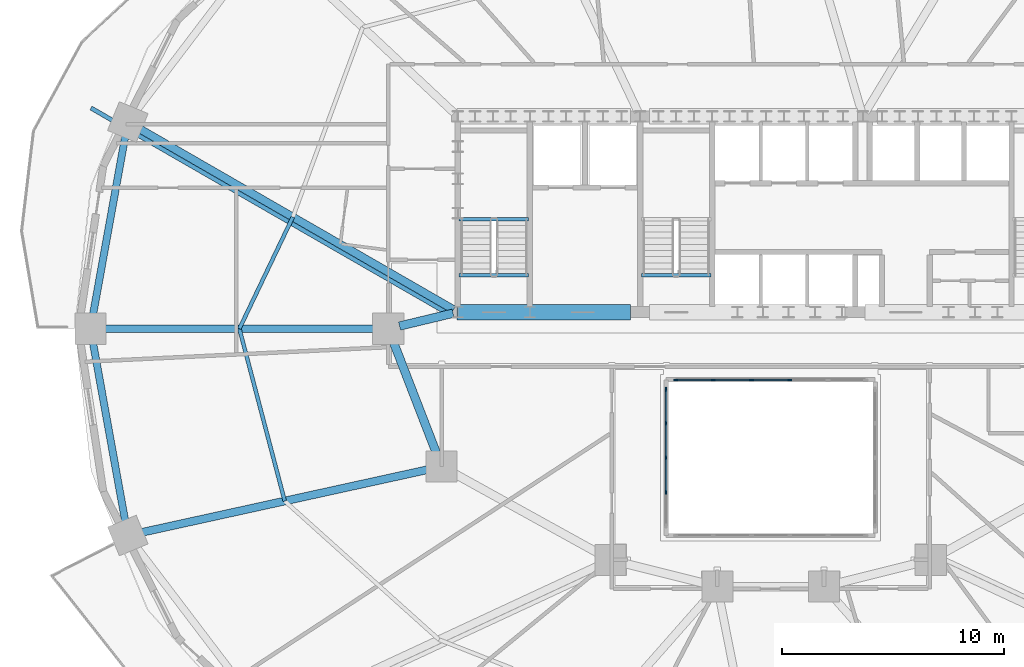
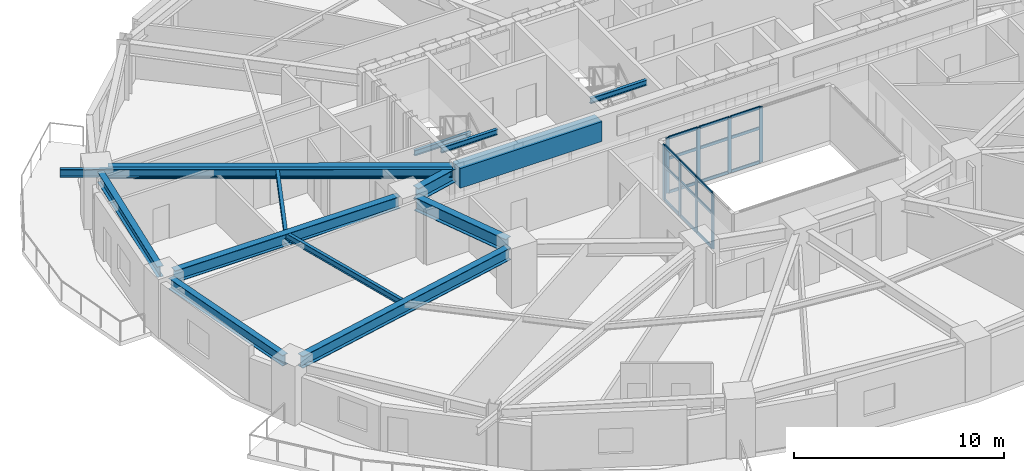
# One storey, part 4 of 17: 26 members, 14 beams, 2 elements without a shape of their own.
"""IFC4 building model written with IfcOpenShell, lengths in metres."""

from ifc_helpers import new_model, si_unit, direction, frame, origin, origin_2d, place, context, subcontext, project, spatial, rectangle, i_section, extrude, material, material_profile, profile_set, type_object, element, aggregate, save


model = new_model("IFC4")

# Units and contexts
model_context = context("Model", 3, precision=1e-05, world=origin(), true_north=direction((0.0, 1.0)))
body_context = subcontext(model_context, "Body", "Model", "MODEL_VIEW")
ifc_project = project(units=[si_unit("LENGTHUNIT", "METRE"), si_unit("AREAUNIT", "SQUARE_METRE"), si_unit("VOLUMEUNIT", "CUBIC_METRE"), si_unit("PLANEANGLEUNIT", "RADIAN"), si_unit("MASSUNIT", "GRAM", prefix="KILO")], contexts=[model_context])

# Site, building, storey
site_placement = place(None, origin())
site = spatial("IfcSite", under=ifc_project, at=site_placement, CompositionType="ELEMENT")
building_placement = place(site_placement, origin())
building = spatial("IfcBuilding", under=site, at=building_placement, Name="Haldorwick Loom Tower", CompositionType="ELEMENT")
storey_placement = place(building_placement, frame((0.0, 0.0, 61.949951171875)))
storey = spatial("IfcBuildingStorey", under=building, at=storey_placement, Name="L16", CompositionType="ELEMENT", Elevation=61.949951171875)

# Curtain wall, members
ifc_material_1 = material(Name="Thermally Broken Anodized Aluminium Curtain Wall Framing", Category="aluminium")
curtain_wall_type = type_object("IfcCurtainWallType", Name="ARC-CW-03", PredefinedType="NOTDEFINED", material=ifc_material_1)
curtain_wall_1_placement = place(storey_placement, origin())
curtain_wall_1 = element("IfcCurtainWall", 1, at=curtain_wall_1_placement, inside=storey, type_object=curtain_wall_type, Name="L16 Atrium Glazed Screen N", PredefinedType="NOTDEFINED")
ifc_material_profile_1 = material_profile(ifc_material_1, rectangle(XDim=0.06591796875, YDim=0.18505859375, at=origin_2d()), Name="ALU_MUL_66X185", Category="aluminium")
ifc_profile_set_1 = profile_set([ifc_material_profile_1], Name="Thermally Broken Anodized Aluminium Curtain Wall Framing")
member_type_1 = type_object("IfcMemberType", Name="ARC-CWM-03", PredefinedType="MULLION", material=ifc_profile_set_1)
member_1_placement = place(storey_placement, frame((31.73291015625, 23.699951171875, 0.0), z_axis=(0.0, 0.0, 1.0), x_axis=(0.0, 1.0, 0.0)))
member_1 = element("IfcMember", 2, at=member_1_placement, type_object=member_type_1, Name="CW-03 mullion 1", PredefinedType="MULLION", context=body_context, shape_type="SweptSolid", body=[
    extrude(rectangle(XDim=0.06591796875, YDim=0.18505859375, at=origin_2d()), origin(), (0.0, 0.0, 1.0), 3.2099609375),
])
member_2_placement = place(storey_placement, frame((33.419921875, 23.699951171875, 0.0), z_axis=(0.0, 0.0, 1.0), x_axis=(0.0, 1.0, 0.0)))
member_2 = element("IfcMember", 3, at=member_2_placement, type_object=member_type_1, Name="CW-03 mullion 2", PredefinedType="MULLION", context=body_context, shape_type="SweptSolid", body=[
    extrude(rectangle(XDim=0.06591796875, YDim=0.18505859375, at=origin_2d()), origin(), (0.0, 0.0, 1.0), 3.2099609375),
])
member_3_placement = place(storey_placement, frame((35.139892578125, 23.699951171875, 0.0), z_axis=(0.0, 0.0, 1.0), x_axis=(0.0, 1.0, 0.0)))
member_3 = element("IfcMember", 4, at=member_3_placement, type_object=member_type_1, Name="CW-03 mullion 3", PredefinedType="MULLION", context=body_context, shape_type="SweptSolid", body=[
    extrude(rectangle(XDim=0.06591796875, YDim=0.18505859375, at=origin_2d()), origin(), (0.0, 0.0, 1.0), 3.2099609375),
])
member_4_placement = place(storey_placement, frame((36.860107421875, 23.699951171875, 0.0), z_axis=(0.0, 0.0, 1.0), x_axis=(0.0, 1.0, 0.0)))
member_4 = element("IfcMember", 5, at=member_4_placement, type_object=member_type_1, Name="CW-03 mullion 4", PredefinedType="MULLION", context=body_context, shape_type="SweptSolid", body=[
    extrude(rectangle(XDim=0.06591796875, YDim=0.18505859375, at=origin_2d()), origin(), (0.0, 0.0, 1.0), 3.2099609375),
])

curtain_wall_2_placement = place(storey_placement, origin())
curtain_wall_2 = element("IfcCurtainWall", 6, at=curtain_wall_2_placement, inside=storey, type_object=curtain_wall_type, Name="L16 Atrium Glazed Screen W", PredefinedType="NOTDEFINED")
member_5_placement = place(storey_placement, frame((31.300048828125, 18.64990234375, 0.0), z_axis=(0.0, 0.0, 1.0), x_axis=(-1.0, 0.0, 0.0)))
member_5 = element("IfcMember", 7, at=member_5_placement, type_object=member_type_1, Name="CW-03 mullion 2", PredefinedType="MULLION", context=body_context, shape_type="SweptSolid", body=[
    extrude(rectangle(XDim=0.06591796875, YDim=0.18505859375, at=origin_2d()), origin(), (0.0, 0.0, 1.0), 3.2099609375),
])
member_6_placement = place(storey_placement, frame((31.300048828125, 20.199951171875, 0.0), z_axis=(0.0, 0.0, 1.0), x_axis=(-1.0, 0.0, 0.0)))
member_6 = element("IfcMember", 8, at=member_6_placement, type_object=member_type_1, Name="CW-03 mullion 3", PredefinedType="MULLION", context=body_context, shape_type="SweptSolid", body=[
    extrude(rectangle(XDim=0.06591796875, YDim=0.18505859375, at=origin_2d()), origin(), (0.0, 0.0, 1.0), 3.2099609375),
])
member_7_placement = place(storey_placement, frame((31.300048828125, 21.75, 0.0), z_axis=(0.0, 0.0, 1.0), x_axis=(-1.0, 0.0, 0.0)))
member_7 = element("IfcMember", 9, at=member_7_placement, type_object=member_type_1, Name="CW-03 mullion 4", PredefinedType="MULLION", context=body_context, shape_type="SweptSolid", body=[
    extrude(rectangle(XDim=0.06591796875, YDim=0.18505859375, at=origin_2d()), origin(), (0.0, 0.0, 1.0), 3.2099609375),
])
member_8_placement = place(storey_placement, frame((31.300048828125, 23.26708984375, 0.0), z_axis=(0.0, 0.0, 1.0), x_axis=(-1.0, 0.0, 0.0)))
member_8 = element("IfcMember", 10, at=member_8_placement, type_object=member_type_1, Name="CW-03 mullion 5", PredefinedType="MULLION", context=body_context, shape_type="SweptSolid", body=[
    extrude(rectangle(XDim=0.06591796875, YDim=0.18505859375, at=origin_2d()), origin(), (0.0, 0.0, 1.0), 3.2099609375),
])

# Member
ifc_material_profile_2 = material_profile(ifc_material_1, rectangle(XDim=0.06591796875, YDim=0.1650390625, at=origin_2d()), Name="ALU_TRN_66X165", Category="aluminium")
ifc_profile_set_2 = profile_set([ifc_material_profile_2], Name="Thermally Broken Anodized Aluminium Curtain Wall Framing")
member_type_2 = type_object("IfcMemberType", Name="ARC-CWT-03", PredefinedType="USERDEFINED", material=ifc_profile_set_2)
member_9_placement = place(storey_placement, frame((31.76611328125, 23.699951171875, 0.032958984375), z_axis=(1.0, 0.0, 0.0), x_axis=(0.0, 1.0, 0.0)))
member_9 = element("IfcMember", 11, at=member_9_placement, type_object=member_type_2, Name="CW-03 transom 1.1", ObjectType="TRANSOM", PredefinedType="USERDEFINED", context=body_context, shape_type="SweptSolid", body=[
    extrude(rectangle(XDim=0.06591796875, YDim=0.1650390625, at=origin_2d()), origin(), (0.0, 0.0, 1.0), 1.620849609375),
])

member_10_placement = place(storey_placement, frame((31.76611328125, 23.699951171875, 2.0), z_axis=(1.0, 0.0, 0.0), x_axis=(0.0, 1.0, 0.0)))
member_10 = element("IfcMember", 12, at=member_10_placement, type_object=member_type_2, Name="CW-03 transom 1.2", ObjectType="TRANSOM", PredefinedType="USERDEFINED", context=body_context, shape_type="SweptSolid", body=[
    extrude(rectangle(XDim=0.06591796875, YDim=0.1650390625, at=origin_2d()), origin(), (0.0, 0.0, 1.0), 1.620849609375),
])

member_11_placement = place(storey_placement, frame((31.76611328125, 23.699951171875, 3.177001953125), z_axis=(1.0, 0.0, 0.0), x_axis=(0.0, 1.0, 0.0)))
member_11 = element("IfcMember", 13, at=member_11_placement, type_object=member_type_2, Name="CW-03 transom 1.3", ObjectType="TRANSOM", PredefinedType="USERDEFINED", context=body_context, shape_type="SweptSolid", body=[
    extrude(rectangle(XDim=0.06591796875, YDim=0.1650390625, at=origin_2d()), origin(), (0.0, 0.0, 1.0), 1.620849609375),
])

member_12_placement = place(storey_placement, frame((33.452880859375, 23.699951171875, 0.032958984375), z_axis=(1.0, 0.0, 0.0), x_axis=(0.0, 1.0, 0.0)))
member_12 = element("IfcMember", 14, at=member_12_placement, type_object=member_type_2, Name="CW-03 transom 2.1", ObjectType="TRANSOM", PredefinedType="USERDEFINED", context=body_context, shape_type="SweptSolid", body=[
    extrude(rectangle(XDim=0.06591796875, YDim=0.1650390625, at=origin_2d()), origin(), (0.0, 0.0, 1.0), 1.654052734375),
])

member_13_placement = place(storey_placement, frame((33.452880859375, 23.699951171875, 2.0), z_axis=(1.0, 0.0, 0.0), x_axis=(0.0, 1.0, 0.0)))
member_13 = element("IfcMember", 15, at=member_13_placement, type_object=member_type_2, Name="CW-03 transom 2.2", ObjectType="TRANSOM", PredefinedType="USERDEFINED", context=body_context, shape_type="SweptSolid", body=[
    extrude(rectangle(XDim=0.06591796875, YDim=0.1650390625, at=origin_2d()), origin(), (0.0, 0.0, 1.0), 1.654052734375),
])

member_14_placement = place(storey_placement, frame((33.452880859375, 23.699951171875, 3.177001953125), z_axis=(1.0, 0.0, 0.0), x_axis=(0.0, 1.0, 0.0)))
member_14 = element("IfcMember", 16, at=member_14_placement, type_object=member_type_2, Name="CW-03 transom 2.3", ObjectType="TRANSOM", PredefinedType="USERDEFINED", context=body_context, shape_type="SweptSolid", body=[
    extrude(rectangle(XDim=0.06591796875, YDim=0.1650390625, at=origin_2d()), origin(), (0.0, 0.0, 1.0), 1.654052734375),
])

member_15_placement = place(storey_placement, frame((35.173095703125, 23.699951171875, 0.032958984375), z_axis=(1.0, 0.0, 0.0), x_axis=(0.0, 1.0, 0.0)))
member_15 = element("IfcMember", 17, at=member_15_placement, type_object=member_type_2, Name="CW-03 transom 3.1", ObjectType="TRANSOM", PredefinedType="USERDEFINED", context=body_context, shape_type="SweptSolid", body=[
    extrude(rectangle(XDim=0.06591796875, YDim=0.1650390625, at=origin_2d()), origin(), (0.0, 0.0, 1.0), 1.65380859375),
])

member_16_placement = place(storey_placement, frame((35.173095703125, 23.699951171875, 2.0), z_axis=(1.0, 0.0, 0.0), x_axis=(0.0, 1.0, 0.0)))
member_16 = element("IfcMember", 18, at=member_16_placement, type_object=member_type_2, Name="CW-03 transom 3.2", ObjectType="TRANSOM", PredefinedType="USERDEFINED", context=body_context, shape_type="SweptSolid", body=[
    extrude(rectangle(XDim=0.06591796875, YDim=0.1650390625, at=origin_2d()), origin(), (0.0, 0.0, 1.0), 1.65380859375),
])

member_17_placement = place(storey_placement, frame((35.173095703125, 23.699951171875, 3.177001953125), z_axis=(1.0, 0.0, 0.0), x_axis=(0.0, 1.0, 0.0)))
member_17 = element("IfcMember", 19, at=member_17_placement, type_object=member_type_2, Name="CW-03 transom 3.3", ObjectType="TRANSOM", PredefinedType="USERDEFINED", context=body_context, shape_type="SweptSolid", body=[
    extrude(rectangle(XDim=0.06591796875, YDim=0.1650390625, at=origin_2d()), origin(), (0.0, 0.0, 1.0), 1.65380859375),
])

aggregate(curtain_wall_1, [member_1, member_2, member_3, member_4, member_9, member_10, member_11, member_12, member_13, member_14, member_15, member_16, member_17])

member_18_placement = place(storey_placement, frame((31.300048828125, 18.68310546875, 0.032958984375), z_axis=(0.0, 1.0, 0.0), x_axis=(-1.0, 0.0, 0.0)))
member_18 = element("IfcMember", 20, at=member_18_placement, type_object=member_type_2, Name="CW-03 transom 2.1", ObjectType="TRANSOM", PredefinedType="USERDEFINED", context=body_context, shape_type="SweptSolid", body=[
    extrude(rectangle(XDim=0.06591796875, YDim=0.1650390625, at=origin_2d()), origin(), (0.0, 0.0, 1.0), 1.48388671875),
])

member_19_placement = place(storey_placement, frame((31.300048828125, 18.68310546875, 2.0), z_axis=(0.0, 1.0, 0.0), x_axis=(-1.0, 0.0, 0.0)))
member_19 = element("IfcMember", 21, at=member_19_placement, type_object=member_type_2, Name="CW-03 transom 2.2", ObjectType="TRANSOM", PredefinedType="USERDEFINED", context=body_context, shape_type="SweptSolid", body=[
    extrude(rectangle(XDim=0.06591796875, YDim=0.1650390625, at=origin_2d()), origin(), (0.0, 0.0, 1.0), 1.48388671875),
])

member_20_placement = place(storey_placement, frame((31.300048828125, 18.68310546875, 3.177001953125), z_axis=(0.0, 1.0, 0.0), x_axis=(-1.0, 0.0, 0.0)))
member_20 = element("IfcMember", 22, at=member_20_placement, type_object=member_type_2, Name="CW-03 transom 2.3", ObjectType="TRANSOM", PredefinedType="USERDEFINED", context=body_context, shape_type="SweptSolid", body=[
    extrude(rectangle(XDim=0.06591796875, YDim=0.1650390625, at=origin_2d()), origin(), (0.0, 0.0, 1.0), 1.48388671875),
])

member_21_placement = place(storey_placement, frame((31.300048828125, 20.23291015625, 0.032958984375), z_axis=(0.0, 1.0, 0.0), x_axis=(-1.0, 0.0, 0.0)))
member_21 = element("IfcMember", 23, at=member_21_placement, type_object=member_type_2, Name="CW-03 transom 3.1", ObjectType="TRANSOM", PredefinedType="USERDEFINED", context=body_context, shape_type="SweptSolid", body=[
    extrude(rectangle(XDim=0.06591796875, YDim=0.1650390625, at=origin_2d()), origin(), (0.0, 0.0, 1.0), 1.484130859375),
])

member_22_placement = place(storey_placement, frame((31.300048828125, 20.23291015625, 2.0), z_axis=(0.0, 1.0, 0.0), x_axis=(-1.0, 0.0, 0.0)))
member_22 = element("IfcMember", 24, at=member_22_placement, type_object=member_type_2, Name="CW-03 transom 3.2", ObjectType="TRANSOM", PredefinedType="USERDEFINED", context=body_context, shape_type="SweptSolid", body=[
    extrude(rectangle(XDim=0.06591796875, YDim=0.1650390625, at=origin_2d()), origin(), (0.0, 0.0, 1.0), 1.484130859375),
])

member_23_placement = place(storey_placement, frame((31.300048828125, 20.23291015625, 3.177001953125), z_axis=(0.0, 1.0, 0.0), x_axis=(-1.0, 0.0, 0.0)))
member_23 = element("IfcMember", 25, at=member_23_placement, type_object=member_type_2, Name="CW-03 transom 3.3", ObjectType="TRANSOM", PredefinedType="USERDEFINED", context=body_context, shape_type="SweptSolid", body=[
    extrude(rectangle(XDim=0.06591796875, YDim=0.1650390625, at=origin_2d()), origin(), (0.0, 0.0, 1.0), 1.484130859375),
])

member_24_placement = place(storey_placement, frame((31.300048828125, 21.782958984375, 0.032958984375), z_axis=(0.0, 1.0, 0.0), x_axis=(-1.0, 0.0, 0.0)))
member_24 = element("IfcMember", 26, at=member_24_placement, type_object=member_type_2, Name="CW-03 transom 4.1", ObjectType="TRANSOM", PredefinedType="USERDEFINED", context=body_context, shape_type="SweptSolid", body=[
    extrude(rectangle(XDim=0.06591796875, YDim=0.1650390625, at=origin_2d()), origin(), (0.0, 0.0, 1.0), 1.450927734375),
])

member_25_placement = place(storey_placement, frame((31.300048828125, 21.782958984375, 2.0), z_axis=(0.0, 1.0, 0.0), x_axis=(-1.0, 0.0, 0.0)))
member_25 = element("IfcMember", 27, at=member_25_placement, type_object=member_type_2, Name="CW-03 transom 4.2", ObjectType="TRANSOM", PredefinedType="USERDEFINED", context=body_context, shape_type="SweptSolid", body=[
    extrude(rectangle(XDim=0.06591796875, YDim=0.1650390625, at=origin_2d()), origin(), (0.0, 0.0, 1.0), 1.450927734375),
])

member_26_placement = place(storey_placement, frame((31.300048828125, 21.782958984375, 3.177001953125), z_axis=(0.0, 1.0, 0.0), x_axis=(-1.0, 0.0, 0.0)))
member_26 = element("IfcMember", 28, at=member_26_placement, type_object=member_type_2, Name="CW-03 transom 4.3", ObjectType="TRANSOM", PredefinedType="USERDEFINED", context=body_context, shape_type="SweptSolid", body=[
    extrude(rectangle(XDim=0.06591796875, YDim=0.1650390625, at=origin_2d()), origin(), (0.0, 0.0, 1.0), 1.450927734375),
])

aggregate(curtain_wall_2, [member_5, member_6, member_7, member_8, member_18, member_19, member_20, member_21, member_22, member_23, member_24, member_25, member_26])

# Beams
ifc_material_2 = material(Name="Steel CSA G40.21 350W", Category="steel")
ifc_material_profile_3 = material_profile(ifc_material_2, i_section(OverallWidth=0.193115234375, OverallDepth=0.466064453125, WebThickness=0.011474609375, FlangeThickness=0.01904296875, at=origin_2d()), Name="W460X97", Category="steel")
ifc_profile_set_3 = profile_set([ifc_material_profile_3], Name="Steel CSA G40.21 350W")
beam_type_1 = type_object("IfcBeamType", Name="STR-BM-BAL460", PredefinedType="BEAM", material=ifc_profile_set_3)
beam_1_placement = place(storey_placement, frame((21.59521484375, 26.61962890625, 2.97705078125), z_axis=(-0.866607024941, 0.49899124674, 0.0), x_axis=(-0.49899124674, -0.866607024941, 0.0)))
element("IfcBeam", 29, at=beam_1_placement, inside=storey, type_object=beam_type_1, Name="L16 Continuous Back-Spanned Balcony Beam 3", PredefinedType="BEAM", context=body_context, shape_type="SweptSolid", body=[
    extrude(i_section(OverallWidth=0.193115234375, OverallDepth=0.466064453125, WebThickness=0.011474609375, FlangeThickness=0.01904296875, at=origin_2d()), origin(), (0.0, 0.0, 1.0), 18.65771484375),
])
ifc_material_3 = material(Name="Concrete C60 (60 MPa)", Category="concrete")
ifc_material_profile_4 = material_profile(ifc_material_3, rectangle(XDim=0.699951171875, YDim=1.14990234375, at=origin_2d()), Name="RC700X1150", Category="concrete")
ifc_profile_set_4 = profile_set([ifc_material_profile_4], Name="Concrete C60 (60 MPa)")
beam_type_2 = type_object("IfcBeamType", Name="STR-BM-CB1150", PredefinedType="LINTEL", material=ifc_profile_set_4)
beam_2_placement = place(storey_placement, frame((21.89990234375, 26.75, 2.635009765625), z_axis=(1.0, 0.0, 0.0), x_axis=(0.0, 1.0, 0.0)))
element("IfcBeam", 30, at=beam_2_placement, inside=storey, type_object=beam_type_2, Name="L16 Core Coupling Beam CB-S1", PredefinedType="LINTEL", context=body_context, shape_type="SweptSolid", body=[
    extrude(rectangle(XDim=0.699951171875, YDim=1.14990234375, at=origin_2d()), origin(), (0.0, 0.0, 1.0), 7.800048828125),
])
ifc_material_profile_5 = material_profile(ifc_material_2, i_section(OverallWidth=0.172119140625, OverallDepth=0.35791015625, WebThickness=0.0078125, FlangeThickness=0.01318359375, at=origin_2d()), Name="W360X57", Category="steel")
ifc_profile_set_5 = profile_set([ifc_material_profile_5], Name="Steel CSA G40.21 350W")
beam_type_3 = type_object("IfcBeamType", Name="STR-BM-J360", PredefinedType="JOIST", material=ifc_profile_set_5)
beam_3_placement = place(storey_placement, frame((14.50634765625, 31.024658203125, 3.031005859375), z_axis=(-0.431630738849, -0.902050389546, 0.0), x_axis=(0.902050389546, -0.431630738849, 0.0)))
element("IfcBeam", 31, at=beam_3_placement, inside=storey, type_object=beam_type_3, Name="L16 Mid-Bay Secondary Joist 8", PredefinedType="JOIST", context=body_context, shape_type="SweptSolid", body=[
    extrude(i_section(OverallWidth=0.172119140625, OverallDepth=0.35791015625, WebThickness=0.0078125, FlangeThickness=0.01318359375, at=origin_2d()), origin(), (0.0, 0.0, 1.0), 5.5703125),
])
beam_4_placement = place(storey_placement, frame((12.10205078125, 26.0, 3.031005859375), z_axis=(0.2544888003, -0.967075721193, 0.0), x_axis=(0.967075721193, 0.2544888003, 0.0)))
element("IfcBeam", 32, at=beam_4_placement, inside=storey, type_object=beam_type_3, Name="L16 Mid-Bay Secondary Joist 9", PredefinedType="JOIST", context=body_context, shape_type="SweptSolid", body=[
    extrude(i_section(OverallWidth=0.172119140625, OverallDepth=0.35791015625, WebThickness=0.0078125, FlangeThickness=0.01318359375, at=origin_2d()), origin(), (0.0, 0.0, 1.0), 8.013427734375),
])
ifc_material_profile_6 = material_profile(ifc_material_2, i_section(OverallWidth=0.324951171875, OverallDepth=0.615966796875, WebThickness=0.013916015625, FlangeThickness=0.021484375, at=origin_2d()), Name="W610X174", Category="steel")
ifc_profile_set_6 = profile_set([ifc_material_profile_6], Name="Steel CSA G40.21 350W")
beam_type_4 = type_object("IfcBeamType", Name="STR-BM-SP610", PredefinedType="SPANDREL", material=ifc_profile_set_6)
for number, where, z_axis, x_axis, name in (
    (33, (6.990234375, 34.78759765625, 2.902099609375), (-0.177641139482, -0.984095333575, 0.0), (0.984095333575, -0.177641139482, 0.0), "L16 Perimeter Spandrel 8"),
    (34, (5.496337890625, 25.48828125, 2.902099609375), (0.177641139482, -0.984095333575, 0.0), (0.984095333575, 0.177641139482, 0.0), "L16 Perimeter Spandrel 9"),
):
    element("IfcBeam", number, at=place(storey_placement, frame(where, z_axis=z_axis, x_axis=x_axis)), inside=storey, type_object=beam_type_4, Name=name, PredefinedType="SPANDREL", context=body_context, shape_type="SweptSolid", body=[
        extrude(i_section(OverallWidth=0.324951171875, OverallDepth=0.615966796875, WebThickness=0.013916015625, FlangeThickness=0.021484375, at=origin_2d()), origin(), (0.0, 0.0, 1.0), 8.40966796875),
    ])
ifc_material_profile_7 = material_profile(ifc_material_2, i_section(OverallWidth=0.166015625, OverallDepth=0.31298828125, WebThickness=0.006591796875, FlangeThickness=0.01123046875, at=origin_2d()), Name="W310X45", Category="steel")
ifc_profile_set_7 = profile_set([ifc_material_profile_7], Name="Steel CSA G40.21 350W")
beam_type_5 = type_object("IfcBeamType", Name="STR-BM-STRM", PredefinedType="BEAM", material=ifc_profile_set_7)
for number, where, z_axis, x_axis, name in (
    (35, (21.989990234375, 28.39990234375, 3.053466796875), (1.0, 0.0, 0.0), (0.0, 1.0, 0.0), "L16 Stair ST-01 Landing Edge Trimmer"),
    (36, (21.989990234375, 30.919921875, 1.36865234375), (1.0, 0.0, 0.0), (0.0, 1.0, 0.0), "L16 Stair ST-01 Half-Landing Trimmer 1"),
    (37, (30.18994140625, 28.39990234375, 3.053466796875), (1.0, 0.0, 0.0), (0.0, 1.0, 0.0), "L16 Stair ST-03 Landing Edge Trimmer"),
):
    element("IfcBeam", number, at=place(storey_placement, frame(where, z_axis=z_axis, x_axis=x_axis)), inside=storey, type_object=beam_type_5, Name=name, PredefinedType="BEAM", context=body_context, shape_type="SweptSolid", body=[
        extrude(i_section(OverallWidth=0.166015625, OverallDepth=0.31298828125, WebThickness=0.006591796875, FlangeThickness=0.01123046875, at=origin_2d()), origin(), (0.0, 0.0, 1.0), 3.1201171875),
    ])
ifc_material_profile_8 = material_profile(ifc_material_2, i_section(OverallWidth=0.35498046875, OverallDepth=0.695068359375, WebThickness=0.015380859375, FlangeThickness=0.02490234375, at=origin_2d()), Name="W690X217", Category="steel")
ifc_profile_set_8 = profile_set([ifc_material_profile_8], Name="Steel CSA G40.21 350W")
beam_type_6 = type_object("IfcBeamType", Name="STR-BM-W690", PredefinedType="BEAM", material=ifc_profile_set_8)
beam_5_placement = place(storey_placement, frame((21.735107421875, 26.8623046875, 2.862548828125), z_axis=(-0.86660566838, 0.498993602696, 0.0), x_axis=(-0.498993602696, -0.86660566838, 0.0)))
element("IfcBeam", 38, at=beam_5_placement, inside=storey, type_object=beam_type_6, Name="L16 Radial Floor Girder 8", PredefinedType="BEAM", context=body_context, shape_type="SweptSolid", body=[
    extrude(i_section(OverallWidth=0.35498046875, OverallDepth=0.695068359375, WebThickness=0.015380859375, FlangeThickness=0.02490234375, at=origin_2d()), origin(), (0.0, 0.0, 1.0), 16.387939453125),
])
beam_6_placement = place(storey_placement, frame((18.280029296875, 26.0, 2.862548828125), z_axis=(-1.0, 0.0, 0.0), x_axis=(0.0, -1.0, 0.0)))
element("IfcBeam", 39, at=beam_6_placement, inside=storey, type_object=beam_type_6, Name="L16 Radial Floor Girder 9", PredefinedType="BEAM", context=body_context, shape_type="SweptSolid", body=[
    extrude(i_section(OverallWidth=0.35498046875, OverallDepth=0.695068359375, WebThickness=0.015380859375, FlangeThickness=0.02490234375, at=origin_2d()), origin(), (0.0, 0.0, 1.0), 12.35595703125),
])
beam_7_placement = place(storey_placement, frame((20.692138671875, 19.6884765625, 2.862548828125), z_axis=(-0.976740159434, -0.214426353203, 0.0), x_axis=(0.214426353203, -0.976740159434, 0.0)))
element("IfcBeam", 40, at=beam_7_placement, inside=storey, type_object=beam_type_6, Name="L16 Radial Floor Girder 10", PredefinedType="BEAM", context=body_context, shape_type="SweptSolid", body=[
    extrude(i_section(OverallWidth=0.35498046875, OverallDepth=0.695068359375, WebThickness=0.015380859375, FlangeThickness=0.02490234375, at=origin_2d()), origin(), (0.0, 0.0, 1.0), 13.41357421875),
])
ifc_material_profile_9 = material_profile(ifc_material_2, i_section(OverallWidth=0.381103515625, OverallDepth=0.77294921875, WebThickness=0.0166015625, FlangeThickness=0.027587890625, at=origin_2d()), Name="W760X257", Category="steel")
ifc_profile_set_9 = profile_set([ifc_material_profile_9], Name="Steel CSA G40.21 350W")
beam_type_7 = type_object("IfcBeamType", Name="STR-BM-W760", PredefinedType="BEAM", material=ifc_profile_set_9)
beam_8_placement = place(storey_placement, frame((21.01220703125, 20.284912109375, 2.823486328125), z_axis=(-0.360964792353, 0.93257944363, 0.0), x_axis=(-0.93257944363, -0.360964792353, 0.0)))
element("IfcBeam", 41, at=beam_8_placement, inside=storey, type_object=beam_type_7, Name="L16 Inner Ring Girder 8", PredefinedType="BEAM", context=body_context, shape_type="SweptSolid", body=[
    extrude(i_section(OverallWidth=0.381103515625, OverallDepth=0.77294921875, WebThickness=0.0166015625, FlangeThickness=0.027587890625, at=origin_2d()), origin(), (0.0, 0.0, 1.0), 5.6083984375),
])
beam_9_placement = place(storey_placement, frame((19.3056640625, 26.12109375, 2.823486328125), z_axis=(0.97247055837, 0.233025777764, 0.0), x_axis=(-0.233025777764, 0.97247055837, 0.0)))
element("IfcBeam", 42, at=beam_9_placement, inside=storey, type_object=beam_type_7, Name="L16 Inner Ring Girder 9", PredefinedType="BEAM", context=body_context, shape_type="SweptSolid", body=[
    extrude(i_section(OverallWidth=0.381103515625, OverallDepth=0.77294921875, WebThickness=0.0166015625, FlangeThickness=0.027587890625, at=origin_2d()), origin(), (0.0, 0.0, 1.0), 2.4736328125),
])

save(model, "model.ifc")
